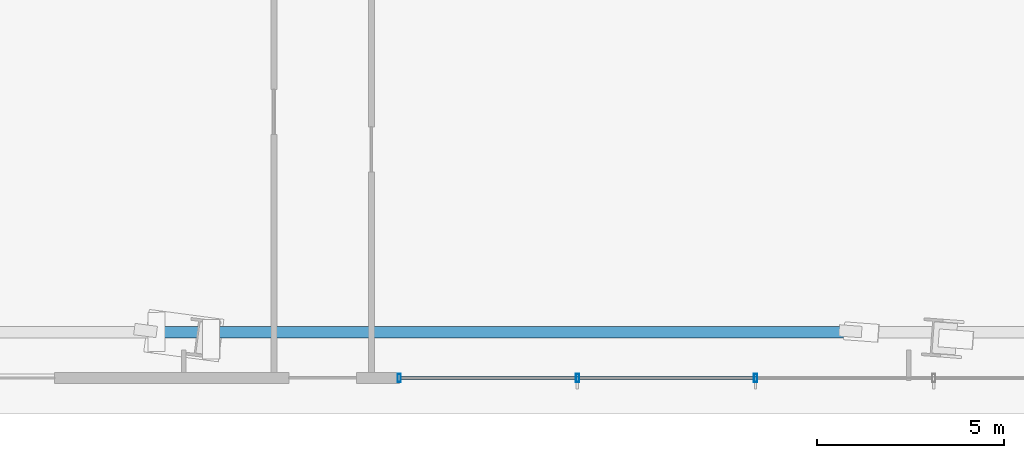
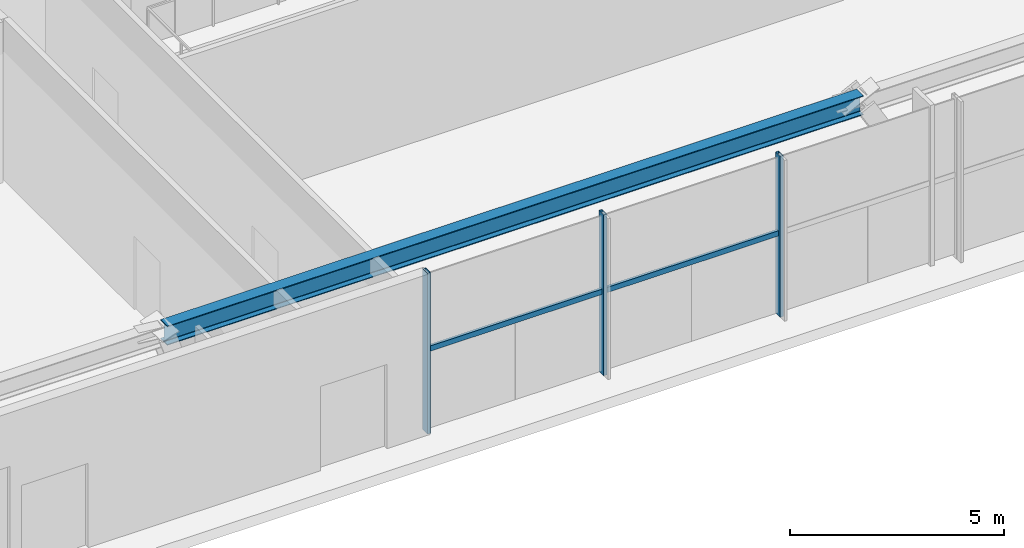
# One storey, part 12 of 31: 5 members, 1 beam, 1 element without a shape of its own.
"""IFC4 building model written with IfcOpenShell, lengths in metres."""

from ifc_helpers import new_model, si_unit, direction, frame, origin, origin_2d, place, context, subcontext, project, spatial, hollow_rectangle, i_section, extrude, source, transform, mapped, material, material_profile, profile_set, type_object, type_shapes, element, aggregate, save


model = new_model("IFC4")

# Units and contexts
model_context = context("Model", 3, precision=1e-05, world=origin(), true_north=direction((0.0, 1.0)))
body_context = subcontext(model_context, "Body", "Model", "MODEL_VIEW")
ifc_project = project(units=[si_unit("LENGTHUNIT", "METRE"), si_unit("AREAUNIT", "SQUARE_METRE"), si_unit("VOLUMEUNIT", "CUBIC_METRE"), si_unit("PLANEANGLEUNIT", "RADIAN"), si_unit("MASSUNIT", "GRAM", prefix="KILO")], contexts=[model_context])

# Site, building, storey
site_placement = place(None, origin())
site = spatial("IfcSite", under=ifc_project, at=site_placement, CompositionType="ELEMENT")
building_placement = place(site_placement, origin())
building = spatial("IfcBuilding", under=site, at=building_placement, Name="Astriad Promenade Condominiums", CompositionType="ELEMENT")
storey_placement = place(building_placement, origin())
storey = spatial("IfcBuildingStorey", under=building, at=storey_placement, Name="L00", CompositionType="ELEMENT", Elevation=0.0)

# Beam
ifc_material_1 = material(Name="Steel ASTM A992 Grade 50", Category="steel")
ifc_material_profile_1 = material_profile(ifc_material_1, i_section(OverallWidth=0.3134765625, OverallDepth=0.54638671875, WebThickness=0.013916015625, FlangeThickness=0.022216796875, FilletRadius=0.0166015625, at=origin_2d()), Name="W21X111")
ifc_profile_set_1 = profile_set([ifc_material_profile_1], Name="Steel ASTM A992 Grade 50")
beam_type = type_object("IfcBeamType", Name="STEEL SPANDREL BEAM W21X111", PredefinedType="SPANDREL", material=ifc_profile_set_1)
shared_shape_1 = source(origin(), body_context, "Body", "SweptSolid", [
    extrude(i_section(OverallWidth=0.3134765625, OverallDepth=0.54638671875, WebThickness=0.013916015625, FlangeThickness=0.022216796875, FilletRadius=0.0166015625, at=origin_2d()), origin(), (0.0, 0.0, 1.0), 18.748779296875),
])
type_shapes(beam_type, [shared_shape_1])
beam_placement = place(storey_placement, frame((40.62939453125, 2.168212890625, 4.306884765625), z_axis=(1.0, 0.0, 0.0), x_axis=(0.0, 1.0, 0.0)))
element("IfcBeam", 1, at=beam_placement, inside=storey, type_object=beam_type, Name="Perimeter Spandrel Beam SP-S3-L00", PredefinedType="SPANDREL", context=body_context, shape_type="MappedRepresentation", body=[
    mapped(shared_shape_1, transform((0.0, 0.0, 0.0), scale=1.0)),
])

# Curtain wall, members
ifc_material_2 = material(Name="Anodised aluminium Black Dark Glass Unitised", Category="aluminium")
curtain_wall_type = type_object("IfcCurtainWallType", Name="CW-POD-DARK", PredefinedType="USERDEFINED", material=ifc_material_2)
curtain_wall_placement = place(storey_placement, origin())
curtain_wall = element("IfcCurtainWall", 2, at=curtain_wall_placement, inside=storey, type_object=curtain_wall_type, Name="CW-L00-SE", ObjectType="UNITISED_CURTAIN_WALL", PredefinedType="USERDEFINED")
ifc_material_3 = material(Name="Anodised aluminium 6063-T6 Black", Category="aluminium")
ifc_material_profile_2 = material_profile(ifc_material_3, hollow_rectangle(XDim=0.0849609375, YDim=0.219970703125, WallThickness=0.0048828125, at=origin_2d()), Name="ALU-MUL-85X220")
ifc_profile_set_2 = profile_set([ifc_material_profile_2], Name="Anodised aluminium 6063-T6 Black")
member_type_1 = type_object("IfcMemberType", Name="MUL-ALU-MUL-85X220", PredefinedType="MULLION", material=ifc_profile_set_2)
shared_shape_2 = source(origin(), body_context, "Body", "SweptSolid", [
    extrude(hollow_rectangle(XDim=0.0849609375, YDim=0.219970703125, WallThickness=0.0048828125, at=origin_2d()), origin(), (0.0, 0.0, 1.0), 4.580078125),
])
type_shapes(member_type_1, [shared_shape_2])
member_1_placement = place(storey_placement, frame((56.5, 0.949951171875, 0.0), z_axis=(0.0, 0.0, 1.0), x_axis=(1.0, 0.0, 0.0)))
member_1 = element("IfcMember", 3, at=member_1_placement, type_object=member_type_1, Name="CW-L00-SE-MUL-02", PredefinedType="MULLION", context=body_context, shape_type="MappedRepresentation", body=[
    mapped(shared_shape_2, transform((0.0, 0.0, 0.0), scale=1.0)),
])
member_2_placement = place(storey_placement, frame((51.75, 0.949951171875, 0.0), z_axis=(0.0, 0.0, 1.0), x_axis=(1.0, 0.0, 0.0)))
member_2 = element("IfcMember", 4, at=member_2_placement, type_object=member_type_1, Name="CW-L00-SE-MUL-03", PredefinedType="MULLION", context=body_context, shape_type="MappedRepresentation", body=[
    mapped(shared_shape_2, transform((0.0, 0.0, 0.0), scale=1.0)),
])
member_3_placement = place(storey_placement, frame((47.0, 0.949951171875, 0.0), z_axis=(0.0, 0.0, 1.0), x_axis=(1.0, 0.0, 0.0)))
member_3 = element("IfcMember", 5, at=member_3_placement, type_object=member_type_1, Name="CW-L00-SE-MUL-04", PredefinedType="MULLION", context=body_context, shape_type="MappedRepresentation", body=[
    mapped(shared_shape_2, transform((0.0, 0.0, 0.0), scale=1.0)),
])
ifc_material_profile_3 = material_profile(ifc_material_3, hollow_rectangle(XDim=0.074951171875, YDim=0.14990234375, WallThickness=0.004150390625, at=origin_2d()), Name="ALU-TRN-75X150")
ifc_profile_set_3 = profile_set([ifc_material_profile_3], Name="Anodised aluminium 6063-T6 Black")
member_type_2 = type_object("IfcMemberType", Name="TRN-ALU-TRN-75X150", PredefinedType="USERDEFINED", material=ifc_profile_set_3)
shared_shape_3 = source(origin(), body_context, "Body", "SweptSolid", [
    extrude(hollow_rectangle(XDim=0.074951171875, YDim=0.14990234375, WallThickness=0.004150390625, at=origin_2d()), origin(), (0.0, 0.0, 1.0), 4.75),
])
type_shapes(member_type_2, [shared_shape_3])
member_4_placement = place(storey_placement, frame((56.5, 0.949951171875, 2.35009765625), z_axis=(-1.0, 0.0, 0.0), x_axis=(0.0, -1.0, 0.0)))
member_4 = element("IfcMember", 6, at=member_4_placement, type_object=member_type_2, Name="CW-L00-SE-TRN-02-0", ObjectType="TRANSOM", PredefinedType="USERDEFINED", context=body_context, shape_type="MappedRepresentation", body=[
    mapped(shared_shape_3, transform((0.0, 0.0, 0.0), scale=1.0)),
])
member_5_placement = place(storey_placement, frame((51.75, 0.949951171875, 2.35009765625), z_axis=(-1.0, 0.0, 0.0), x_axis=(0.0, -1.0, 0.0)))
member_5 = element("IfcMember", 7, at=member_5_placement, type_object=member_type_2, Name="CW-L00-SE-TRN-03-0", ObjectType="TRANSOM", PredefinedType="USERDEFINED", context=body_context, shape_type="MappedRepresentation", body=[
    mapped(shared_shape_3, transform((0.0, 0.0, 0.0), scale=1.0)),
])
aggregate(curtain_wall, [member_1, member_2, member_3, member_4, member_5])

save(model, "model.ifc")
